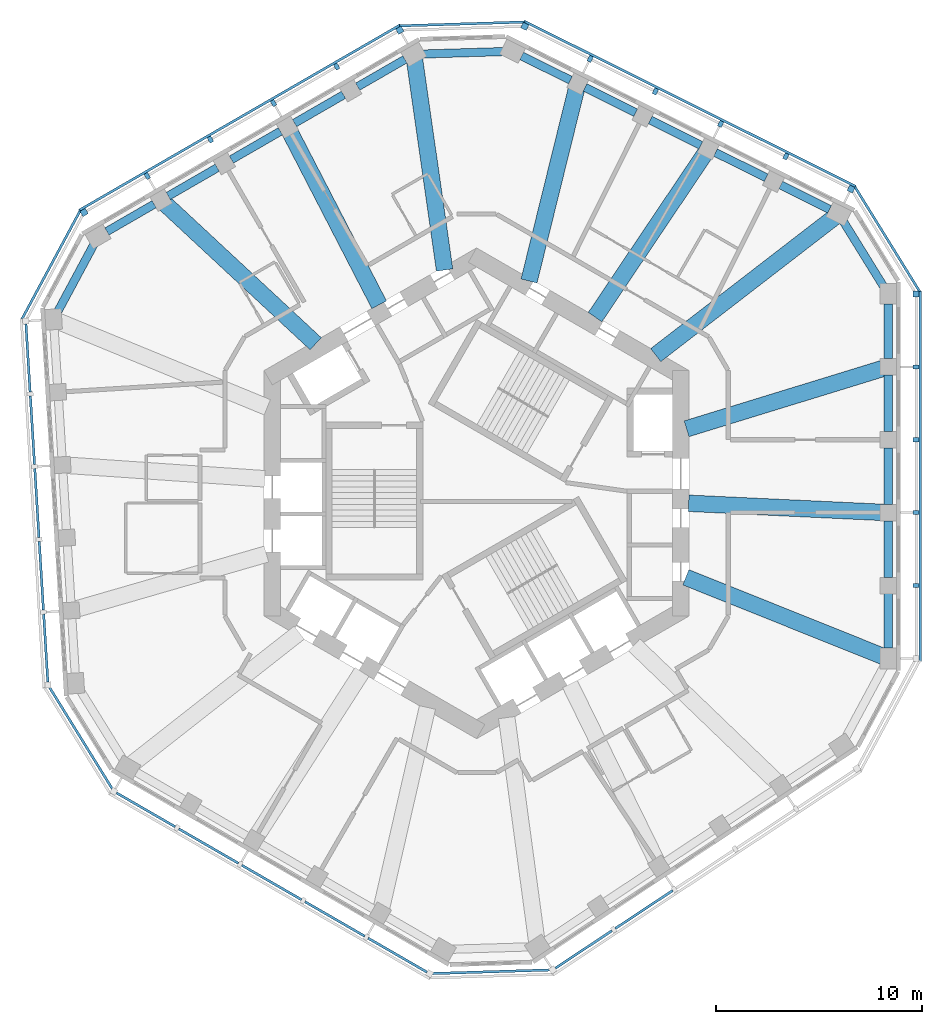
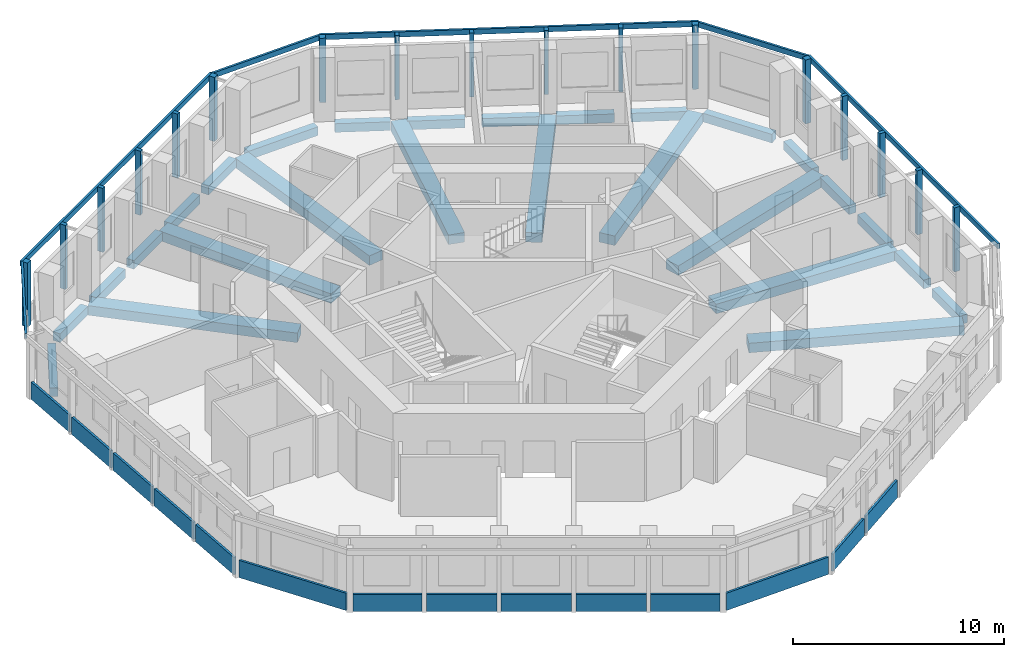
# One storey, part 2 of 11: 27 beams, 23 members, 14 plates, 11 elements without a shape of their own.
"""IFC4 building model written with IfcOpenShell, lengths in metres."""

from ifc_helpers import new_model, si_unit, direction, frame, origin, origin_2d, place, context, subcontext, project, spatial, rectangle, extrude, material, layer, layer_set, material_profile, profile_set, type_object, element, aggregate, save


model = new_model("IFC4")

# Units and contexts
model_context = context("Model", 3, precision=1e-05, world=origin(), true_north=direction((0.0, 1.0)))
body_context = subcontext(model_context, "Body", "Model", "MODEL_VIEW")
ifc_project = project(units=[si_unit("LENGTHUNIT", "METRE"), si_unit("AREAUNIT", "SQUARE_METRE"), si_unit("VOLUMEUNIT", "CUBIC_METRE"), si_unit("PLANEANGLEUNIT", "RADIAN"), si_unit("MASSUNIT", "GRAM", prefix="KILO")], contexts=[model_context])

# Site, building, storey
site_placement = place(None, origin())
site = spatial("IfcSite", under=ifc_project, at=site_placement, CompositionType="ELEMENT")
building_placement = place(site_placement, origin())
building = spatial("IfcBuilding", under=site, at=building_placement, Name="Vanh Sen Convention Tower", CompositionType="ELEMENT")
storey_placement = place(building_placement, frame((0.0, 0.0, 247.60009765625)))
storey = spatial("IfcBuildingStorey", under=building, at=storey_placement, Name="L61", CompositionType="ELEMENT", Elevation=247.60009765625)

# Curtain wall, member
ifc_material_1 = material(Name="Concrete C50/60", Category="concrete")
curtain_wall_type = type_object("IfcCurtainWallType", Name="Outer skin office zone", PredefinedType="NOTDEFINED", material=ifc_material_1)
curtain_wall_1_placement = place(storey_placement, origin())
curtain_wall_1 = element("IfcCurtainWall", 1, at=curtain_wall_1_placement, inside=storey, type_object=curtain_wall_type, Name="OUTER SKIN E L61", PredefinedType="NOTDEFINED")
ifc_material_profile_1 = material_profile(ifc_material_1, rectangle(XDim=0.300048828125, YDim=0.300048828125, at=origin_2d()), Name="Outer skin precast corner fin 300 x 300")
ifc_profile_set_1 = profile_set([ifc_material_profile_1], Name="Concrete C50/60")
member_type_1 = type_object("IfcMemberType", Name="Outer skin precast corner fin 300 x 300", PredefinedType="MULLION", material=ifc_profile_set_1)
member_1_placement = place(storey_placement, frame((21.300048828125, 9.665283203125, 0.0), z_axis=(0.0, 0.0, 1.0), x_axis=(0.0, 1.0, 0.0)))
member_1 = element("IfcMember", 2, at=member_1_placement, type_object=member_type_1, Name="OUTER SKIN CORNER FIN 6 E L61", PredefinedType="MULLION", context=body_context, shape_type="SweptSolid", body=[
    extrude(rectangle(XDim=0.300048828125, YDim=0.300048828125, at=origin_2d()), origin(), (0.0, 0.0, 1.0), 3.699951171875),
])

# Curtain wall, members
curtain_wall_2_placement = place(storey_placement, origin())
curtain_wall_2 = element("IfcCurtainWall", 3, at=curtain_wall_2_placement, inside=storey, type_object=curtain_wall_type, Name="OUTER SKIN NE L61", PredefinedType="NOTDEFINED")
member_2_placement = place(storey_placement, frame((18.15380859375, 14.74951171875, 0.0), z_axis=(0.0, 0.0, 1.0), x_axis=(-0.894934361602, 0.44619781311, 0.0)))
member_2 = element("IfcMember", 4, at=member_2_placement, type_object=member_type_1, Name="OUTER SKIN CORNER FIN 1 NE L61", PredefinedType="MULLION", context=body_context, shape_type="SweptSolid", body=[
    extrude(rectangle(XDim=0.300048828125, YDim=0.300048828125, at=origin_2d()), origin(), (0.0, 0.0, 1.0), 3.699951171875),
])
member_3_placement = place(storey_placement, frame((2.342041015625, 22.633056640625, 0.0), z_axis=(0.0, 0.0, 1.0), x_axis=(-0.894934361602, 0.44619781311, 0.0)))
member_3 = element("IfcMember", 5, at=member_3_placement, type_object=member_type_1, Name="OUTER SKIN CORNER FIN 6 NE L61", PredefinedType="MULLION", context=body_context, shape_type="SweptSolid", body=[
    extrude(rectangle(XDim=0.300048828125, YDim=0.300048828125, at=origin_2d()), origin(), (0.0, 0.0, 1.0), 3.699951171875),
])

curtain_wall_3_placement = place(storey_placement, origin())
curtain_wall_3 = element("IfcCurtainWall", 6, at=curtain_wall_3_placement, inside=storey, type_object=curtain_wall_type, Name="OUTER SKIN NW L61", PredefinedType="NOTDEFINED")
member_4_placement = place(storey_placement, frame((-3.719482421875, 22.44775390625, 0.0), z_axis=(0.0, 0.0, 1.0), x_axis=(-0.866025403784, -0.5, 0.0)))
member_4 = element("IfcMember", 7, at=member_4_placement, type_object=member_type_1, Name="OUTER SKIN CORNER FIN 1 NW L61", PredefinedType="MULLION", context=body_context, shape_type="SweptSolid", body=[
    extrude(rectangle(XDim=0.300048828125, YDim=0.300048828125, at=origin_2d()), origin(), (0.0, 0.0, 1.0), 3.699951171875),
])
member_5_placement = place(storey_placement, frame((-19.0205078125, 13.613525390625, 0.0), z_axis=(0.0, 0.0, 1.0), x_axis=(-0.866025403784, -0.5, 0.0)))
member_5 = element("IfcMember", 8, at=member_5_placement, type_object=member_type_1, Name="OUTER SKIN CORNER FIN 6 NW L61", PredefinedType="MULLION", context=body_context, shape_type="SweptSolid", body=[
    extrude(rectangle(XDim=0.300048828125, YDim=0.300048828125, at=origin_2d()), origin(), (0.0, 0.0, 1.0), 3.699951171875),
])

# Member
ifc_material_profile_2 = material_profile(ifc_material_1, rectangle(XDim=0.199951171875, YDim=0.300048828125, at=origin_2d()), Name="Outer skin precast fin 200 x 300")
ifc_profile_set_2 = profile_set([ifc_material_profile_2], Name="Concrete C50/60")
member_type_2 = type_object("IfcMemberType", Name="Outer skin precast fin 200 x 300", PredefinedType="MULLION", material=ifc_profile_set_2)
member_6_placement = place(storey_placement, frame((21.300048828125, -4.46923828125, 0.0), z_axis=(0.0, 0.0, 1.0), x_axis=(0.0, 1.0, 0.0)))
member_6 = element("IfcMember", 9, at=member_6_placement, type_object=member_type_2, Name="OUTER SKIN fin 2 E L61", PredefinedType="MULLION", context=body_context, shape_type="SweptSolid", body=[
    extrude(rectangle(XDim=0.199951171875, YDim=0.300048828125, at=origin_2d()), origin(), (0.0, 0.0, 1.0), 3.699951171875),
])

member_7_placement = place(storey_placement, frame((21.300048828125, -0.935546875, 0.0), z_axis=(0.0, 0.0, 1.0), x_axis=(0.0, 1.0, 0.0)))
member_7 = element("IfcMember", 10, at=member_7_placement, type_object=member_type_2, Name="OUTER SKIN fin 3 E L61", PredefinedType="MULLION", context=body_context, shape_type="SweptSolid", body=[
    extrude(rectangle(XDim=0.199951171875, YDim=0.300048828125, at=origin_2d()), origin(), (0.0, 0.0, 1.0), 3.699951171875),
])

member_8_placement = place(storey_placement, frame((21.300048828125, 2.59814453125, 0.0), z_axis=(0.0, 0.0, 1.0), x_axis=(0.0, 1.0, 0.0)))
member_8 = element("IfcMember", 11, at=member_8_placement, type_object=member_type_2, Name="OUTER SKIN fin 4 E L61", PredefinedType="MULLION", context=body_context, shape_type="SweptSolid", body=[
    extrude(rectangle(XDim=0.199951171875, YDim=0.300048828125, at=origin_2d()), origin(), (0.0, 0.0, 1.0), 3.699951171875),
])

member_9_placement = place(storey_placement, frame((21.300048828125, 6.131591796875, 0.0), z_axis=(0.0, 0.0, 1.0), x_axis=(0.0, 1.0, 0.0)))
member_9 = element("IfcMember", 12, at=member_9_placement, type_object=member_type_2, Name="OUTER SKIN fin 5 E L61", PredefinedType="MULLION", context=body_context, shape_type="SweptSolid", body=[
    extrude(rectangle(XDim=0.199951171875, YDim=0.300048828125, at=origin_2d()), origin(), (0.0, 0.0, 1.0), 3.699951171875),
])

member_10_placement = place(storey_placement, frame((14.99169921875, 16.326171875, 0.0), z_axis=(0.0, 0.0, 1.0), x_axis=(-0.894934361602, 0.44619781311, 0.0)))
member_10 = element("IfcMember", 13, at=member_10_placement, type_object=member_type_2, Name="OUTER SKIN fin 2 NE L61", PredefinedType="MULLION", context=body_context, shape_type="SweptSolid", body=[
    extrude(rectangle(XDim=0.199951171875, YDim=0.300048828125, at=origin_2d()), origin(), (0.0, 0.0, 1.0), 3.699951171875),
])

member_11_placement = place(storey_placement, frame((11.8291015625, 17.90283203125, 0.0), z_axis=(0.0, 0.0, 1.0), x_axis=(-0.894934361602, 0.44619781311, 0.0)))
member_11 = element("IfcMember", 14, at=member_11_placement, type_object=member_type_2, Name="OUTER SKIN fin 3 NE L61", PredefinedType="MULLION", context=body_context, shape_type="SweptSolid", body=[
    extrude(rectangle(XDim=0.199951171875, YDim=0.300048828125, at=origin_2d()), origin(), (0.0, 0.0, 1.0), 3.699951171875),
])

member_12_placement = place(storey_placement, frame((8.666748046875, 19.4794921875, 0.0), z_axis=(0.0, 0.0, 1.0), x_axis=(-0.894934361602, 0.44619781311, 0.0)))
member_12 = element("IfcMember", 15, at=member_12_placement, type_object=member_type_2, Name="OUTER SKIN fin 4 NE L61", PredefinedType="MULLION", context=body_context, shape_type="SweptSolid", body=[
    extrude(rectangle(XDim=0.199951171875, YDim=0.300048828125, at=origin_2d()), origin(), (0.0, 0.0, 1.0), 3.699951171875),
])

member_13_placement = place(storey_placement, frame((5.50439453125, 21.056396484375, 0.0), z_axis=(0.0, 0.0, 1.0), x_axis=(-0.894934361602, 0.44619781311, 0.0)))
member_13 = element("IfcMember", 16, at=member_13_placement, type_object=member_type_2, Name="OUTER SKIN fin 5 NE L61", PredefinedType="MULLION", context=body_context, shape_type="SweptSolid", body=[
    extrude(rectangle(XDim=0.199951171875, YDim=0.300048828125, at=origin_2d()), origin(), (0.0, 0.0, 1.0), 3.699951171875),
])

member_14_placement = place(storey_placement, frame((-6.779541015625, 20.680908203125, 0.0), z_axis=(0.0, 0.0, 1.0), x_axis=(-0.866025403784, -0.5, 0.0)))
member_14 = element("IfcMember", 17, at=member_14_placement, type_object=member_type_2, Name="OUTER SKIN fin 2 NW L61", PredefinedType="MULLION", context=body_context, shape_type="SweptSolid", body=[
    extrude(rectangle(XDim=0.199951171875, YDim=0.300048828125, at=origin_2d()), origin(), (0.0, 0.0, 1.0), 3.699951171875),
])

member_15_placement = place(storey_placement, frame((-9.83984375, 18.9140625, 0.0), z_axis=(0.0, 0.0, 1.0), x_axis=(-0.866025403784, -0.5, 0.0)))
member_15 = element("IfcMember", 18, at=member_15_placement, type_object=member_type_2, Name="OUTER SKIN fin 3 NW L61", PredefinedType="MULLION", context=body_context, shape_type="SweptSolid", body=[
    extrude(rectangle(XDim=0.199951171875, YDim=0.300048828125, at=origin_2d()), origin(), (0.0, 0.0, 1.0), 3.699951171875),
])

member_16_placement = place(storey_placement, frame((-12.89990234375, 17.147216796875, 0.0), z_axis=(0.0, 0.0, 1.0), x_axis=(-0.866025403784, -0.5, 0.0)))
member_16 = element("IfcMember", 19, at=member_16_placement, type_object=member_type_2, Name="OUTER SKIN fin 4 NW L61", PredefinedType="MULLION", context=body_context, shape_type="SweptSolid", body=[
    extrude(rectangle(XDim=0.199951171875, YDim=0.300048828125, at=origin_2d()), origin(), (0.0, 0.0, 1.0), 3.699951171875),
])

member_17_placement = place(storey_placement, frame((-15.960205078125, 15.38037109375, 0.0), z_axis=(0.0, 0.0, 1.0), x_axis=(-0.866025403784, -0.5, 0.0)))
member_17 = element("IfcMember", 20, at=member_17_placement, type_object=member_type_2, Name="OUTER SKIN fin 5 NW L61", PredefinedType="MULLION", context=body_context, shape_type="SweptSolid", body=[
    extrude(rectangle(XDim=0.199951171875, YDim=0.300048828125, at=origin_2d()), origin(), (0.0, 0.0, 1.0), 3.699951171875),
])

ifc_material_profile_3 = material_profile(ifc_material_1, rectangle(XDim=0.1201171875, YDim=0.300048828125, at=origin_2d()), Name="Outer skin precast spandrel band 300 x 120")
ifc_profile_set_3 = profile_set([ifc_material_profile_3], Name="Concrete C50/60")
member_type_3 = type_object("IfcMemberType", Name="Outer skin precast spandrel band 300 x 120", PredefinedType="USERDEFINED", material=ifc_profile_set_3)
member_18_placement = place(storey_placement, frame((21.510009765625, -8.15283203125, 3.5498046875), z_axis=(0.0, 1.0, 0.0), x_axis=(-1.0, 0.0, 0.0)))
member_18 = element("IfcMember", 21, at=member_18_placement, type_object=member_type_3, Name="OUTER SKIN spandrel band E L61", ObjectType="TRANSOM", PredefinedType="USERDEFINED", context=body_context, shape_type="SweptSolid", body=[
    extrude(rectangle(XDim=0.1201171875, YDim=0.300048828125, at=origin_2d()), origin(), (0.0, 0.0, 1.0), 17.96826171875),
])

aggregate(curtain_wall_1, [member_6, member_7, member_8, member_9, member_1, member_18])

# Curtain wall, member
curtain_wall_4_placement = place(storey_placement, origin())
curtain_wall_4 = element("IfcCurtainWall", 22, at=curtain_wall_4_placement, inside=storey, type_object=curtain_wall_type, Name="OUTER SKIN CH1 L61", PredefinedType="NOTDEFINED")
member_19_placement = place(storey_placement, frame((21.478515625, 9.77587890625, 3.5498046875), z_axis=(-0.526187318786, 0.850368688011, 0.0), x_axis=(-0.850368688011, -0.526187318786, 0.0)))
member_19 = element("IfcMember", 23, at=member_19_placement, type_object=member_type_3, Name="OUTER SKIN spandrel band CH1 L61", ObjectType="TRANSOM", PredefinedType="USERDEFINED", context=body_context, shape_type="SweptSolid", body=[
    extrude(rectangle(XDim=0.1201171875, YDim=0.300048828125, at=origin_2d()), origin(), (0.0, 0.0, 1.0), 5.978759765625),
])
aggregate(curtain_wall_4, [member_19])

# Member
member_20_placement = place(storey_placement, frame((18.3818359375, 14.87060546875, 3.5498046875), z_axis=(-0.894940208367, 0.446186086121, 0.0), x_axis=(-0.446186086121, -0.894940208367, 0.0)))
member_20 = element("IfcMember", 24, at=member_20_placement, type_object=member_type_3, Name="OUTER SKIN spandrel band NE L61", ObjectType="TRANSOM", PredefinedType="USERDEFINED", context=body_context, shape_type="SweptSolid", body=[
    extrude(rectangle(XDim=0.1201171875, YDim=0.300048828125, at=origin_2d()), origin(), (0.0, 0.0, 1.0), 17.968017578125),
])

aggregate(curtain_wall_2, [member_2, member_10, member_11, member_12, member_13, member_3, member_20])

# Curtain wall, member
curtain_wall_5_placement = place(storey_placement, origin())
curtain_wall_5 = element("IfcCurtainWall", 25, at=curtain_wall_5_placement, inside=storey, type_object=curtain_wall_type, Name="OUTER SKIN CH2 L61", PredefinedType="NOTDEFINED")
member_21_placement = place(storey_placement, frame((2.335693359375, 22.843017578125, 3.5498046875), z_axis=(-0.999533054911, -0.030556049165, 0.0), x_axis=(0.030556049165, -0.999533054911, 0.0)))
member_21 = element("IfcMember", 26, at=member_21_placement, type_object=member_type_3, Name="OUTER SKIN spandrel band CH2 L61", ObjectType="TRANSOM", PredefinedType="USERDEFINED", context=body_context, shape_type="SweptSolid", body=[
    extrude(rectangle(XDim=0.1201171875, YDim=0.300048828125, at=origin_2d()), origin(), (0.0, 0.0, 1.0), 6.064453125),
])
aggregate(curtain_wall_5, [member_21])

# Member
member_22_placement = place(storey_placement, frame((-3.694580078125, 22.70458984375, 3.5498046875), z_axis=(-0.866022898019, -0.500004340088, 0.0), x_axis=(0.500004340088, -0.866022898019, 0.0)))
member_22 = element("IfcMember", 27, at=member_22_placement, type_object=member_type_3, Name="OUTER SKIN spandrel band NW L61", ObjectType="TRANSOM", PredefinedType="USERDEFINED", context=body_context, shape_type="SweptSolid", body=[
    extrude(rectangle(XDim=0.1201171875, YDim=0.300048828125, at=origin_2d()), origin(), (0.0, 0.0, 1.0), 17.968017578125),
])

aggregate(curtain_wall_3, [member_4, member_14, member_15, member_16, member_17, member_5, member_22])

# Curtain wall, member
curtain_wall_6_placement = place(storey_placement, origin())
curtain_wall_6 = element("IfcCurtainWall", 28, at=curtain_wall_6_placement, inside=storey, type_object=curtain_wall_type, Name="OUTER SKIN CH3 L61", PredefinedType="NOTDEFINED")
member_23_placement = place(storey_placement, frame((-19.20556640625, 13.712890625, 3.5498046875), z_axis=(-0.473317965247, -0.880891652688, 0.0), x_axis=(0.880891652688, -0.473317965247, 0.0)))
member_23 = element("IfcMember", 29, at=member_23_placement, type_object=member_type_3, Name="OUTER SKIN spandrel band CH3 L61", ObjectType="TRANSOM", PredefinedType="USERDEFINED", context=body_context, shape_type="SweptSolid", body=[
    extrude(rectangle(XDim=0.1201171875, YDim=0.300048828125, at=origin_2d()), origin(), (0.0, 0.0, 1.0), 5.978759765625),
])
aggregate(curtain_wall_6, [member_23])

# Beams
ifc_material_2 = material(Name="Concrete C50/60", Category="concrete")
ifc_material_profile_4 = material_profile(ifc_material_2, rectangle(XDim=0.800048828125, YDim=0.550048828125, at=origin_2d()), Name="RC 800X550")
ifc_profile_set_4 = profile_set([ifc_material_profile_4], Name="Concrete C50/60")
beam_type_1 = type_object("IfcBeamType", Name="Radial floor beam 800 x 550", PredefinedType="BEAM", material=ifc_profile_set_4)
beam_1_placement = place(storey_placement, frame((19.70361328125, -7.90380859375, -0.55517578125), z_axis=(-0.928119807881, 0.372281643676, 0.0), x_axis=(-0.372281643676, -0.928119807881, 0.0)))
element("IfcBeam", 30, at=beam_1_placement, inside=storey, type_object=beam_type_1, Name="Radial beam 01 L61", PredefinedType="BEAM", context=body_context, shape_type="SweptSolid", body=[
    extrude(rectangle(XDim=0.800048828125, YDim=0.550048828125, at=origin_2d()), origin(), (0.0, 0.0, 1.0), 10.29736328125),
])
beam_2_placement = place(storey_placement, frame((19.945556640625, -0.935302734375, -0.55517578125), z_axis=(-0.998902566017, 0.046836562684, 0.0), x_axis=(-0.046836562684, -0.998902566017, 0.0)))
element("IfcBeam", 31, at=beam_2_placement, inside=storey, type_object=beam_type_1, Name="Radial beam 02 L61", PredefinedType="BEAM", context=body_context, shape_type="SweptSolid", body=[
    extrude(rectangle(XDim=0.800048828125, YDim=0.550048828125, at=origin_2d()), origin(), (0.0, 0.0, 1.0), 9.679931640625),
])
beam_3_placement = place(storey_placement, frame((19.897216796875, 6.115478515625, -0.55517578125), z_axis=(-0.955870331163, -0.293788886793, 0.0), x_axis=(0.293788886793, -0.955870331163, 0.0)))
element("IfcBeam", 32, at=beam_3_placement, inside=storey, type_object=beam_type_1, Name="Radial beam 03 L61", PredefinedType="BEAM", context=body_context, shape_type="SweptSolid", body=[
    extrude(rectangle(XDim=0.800048828125, YDim=0.550048828125, at=origin_2d()), origin(), (0.0, 0.0, 1.0), 10.168212890625),
])
beam_4_placement = place(storey_placement, frame((17.35693359375, 13.39111328125, -0.55517578125), z_axis=(-0.791753308833, -0.610840975994, 0.0), x_axis=(0.610840975994, -0.791753308833, 0.0)))
element("IfcBeam", 33, at=beam_4_placement, inside=storey, type_object=beam_type_1, Name="Radial beam 04 L61", PredefinedType="BEAM", context=body_context, shape_type="SweptSolid", body=[
    extrude(rectangle(XDim=0.800048828125, YDim=0.550048828125, at=origin_2d()), origin(), (0.0, 0.0, 1.0), 10.955322265625),
])
beam_5_placement = place(storey_placement, frame((11.215087890625, 16.677001953125, -0.55517578125), z_axis=(-0.558045479144, -0.829810365811, 0.0), x_axis=(0.829810365811, -0.558045479144, 0.0)))
element("IfcBeam", 34, at=beam_5_placement, inside=storey, type_object=beam_type_1, Name="Radial beam 05 L61", PredefinedType="BEAM", context=body_context, shape_type="SweptSolid", body=[
    extrude(rectangle(XDim=0.800048828125, YDim=0.550048828125, at=origin_2d()), origin(), (0.0, 0.0, 1.0), 9.805419921875),
])
beam_6_placement = place(storey_placement, frame((4.892578125, 19.809814453125, -0.55517578125), z_axis=(-0.239763112256, -0.97083142203, 0.0), x_axis=(0.97083142203, -0.239763112256, 0.0)))
element("IfcBeam", 35, at=beam_6_placement, inside=storey, type_object=beam_type_1, Name="Radial beam 06 L61", PredefinedType="BEAM", context=body_context, shape_type="SweptSolid", body=[
    extrude(rectangle(XDim=0.800048828125, YDim=0.550048828125, at=origin_2d()), origin(), (0.0, 0.0, 1.0), 9.8037109375),
])
beam_7_placement = place(storey_placement, frame((-3.0068359375, 21.015869140625, -0.55517578125), z_axis=(0.141633779943, -0.989919124161, 0.0), x_axis=(0.989919124161, 0.141633779943, 0.0)))
element("IfcBeam", 36, at=beam_7_placement, inside=storey, type_object=beam_type_1, Name="Radial beam 07 L61", PredefinedType="BEAM", context=body_context, shape_type="SweptSolid", body=[
    extrude(rectangle(XDim=0.800048828125, YDim=0.550048828125, at=origin_2d()), origin(), (0.0, 0.0, 1.0), 10.297607421875),
])
beam_8_placement = place(storey_placement, frame((-9.162841796875, 17.7412109375, -0.55517578125), z_axis=(0.458887667993, -0.888494292702, 0.0), x_axis=(0.888494292702, 0.458887667993, 0.0)))
element("IfcBeam", 37, at=beam_8_placement, inside=storey, type_object=beam_type_1, Name="Radial beam 08 L61", PredefinedType="BEAM", context=body_context, shape_type="SweptSolid", body=[
    extrude(rectangle(XDim=0.800048828125, YDim=0.550048828125, at=origin_2d()), origin(), (0.0, 0.0, 1.0), 9.68017578125),
])
beam_9_placement = place(storey_placement, frame((-15.244873046875, 14.173828125, -0.55517578125), z_axis=(0.73236492297, -0.680912343554, 0.0), x_axis=(0.680912343554, 0.73236492297, 0.0)))
element("IfcBeam", 38, at=beam_9_placement, inside=storey, type_object=beam_type_1, Name="Radial beam 09 L61", PredefinedType="BEAM", context=body_context, shape_type="SweptSolid", body=[
    extrude(rectangle(XDim=0.800048828125, YDim=0.550048828125, at=origin_2d()), origin(), (0.0, 0.0, 1.0), 10.16845703125),
])
ifc_material_profile_5 = material_profile(ifc_material_2, rectangle(XDim=0.39990234375, YDim=0.5, at=origin_2d()), Name="RC 400X500")
ifc_profile_set_5 = profile_set([ifc_material_profile_5], Name="Concrete C50/60")
beam_type_2 = type_object("IfcBeamType", Name="Spandrel beam 400 x 500", PredefinedType="SPANDREL", material=ifc_profile_set_5)
beam_10_placement = place(storey_placement, frame((19.949951171875, -7.5078125, -0.530029296875), z_axis=(0.0, 1.0, 0.0), x_axis=(-1.0, 0.0, 0.0)))
element("IfcBeam", 39, at=beam_10_placement, inside=storey, type_object=beam_type_2, Name="Spandrel beam 01 L61", PredefinedType="SPANDREL", context=body_context, shape_type="SweptSolid", body=[
    extrude(rectangle(XDim=0.39990234375, YDim=0.5, at=origin_2d()), origin(), (0.0, 0.0, 1.0), 2.6435546875),
])
for number, where, z_axis, x_axis, name in (
    (40, (19.949951171875, -4.07421875, -0.530029296875), (0.0, 1.0, 0.0), (-1.0, 0.0, 0.0), "Spandrel beam 02 L61"),
    (41, (19.949951171875, -0.54052734375, -0.530029296875), (0.0, 1.0, 0.0), (-1.0, 0.0, 0.0), "Spandrel beam 03 L61"),
    (42, (19.949951171875, 2.9931640625, -0.530029296875), (0.0, 1.0, 0.0), (-1.0, 0.0, 0.0), "Spandrel beam 04 L61"),
):
    element("IfcBeam", number, at=place(storey_placement, frame(where, z_axis=z_axis, x_axis=x_axis)), inside=storey, type_object=beam_type_2, Name=name, PredefinedType="SPANDREL", context=body_context, shape_type="SweptSolid", body=[
        extrude(rectangle(XDim=0.39990234375, YDim=0.5, at=origin_2d()), origin(), (0.0, 0.0, 1.0), 2.74365234375),
    ])
beam_11_placement = place(storey_placement, frame((19.949951171875, 6.526611328125, -0.530029296875), z_axis=(0.0, 1.0, 0.0), x_axis=(-1.0, 0.0, 0.0)))
element("IfcBeam", 43, at=beam_11_placement, inside=storey, type_object=beam_type_2, Name="Spandrel beam 05 L61", PredefinedType="SPANDREL", context=body_context, shape_type="SweptSolid", body=[
    extrude(rectangle(XDim=0.39990234375, YDim=0.5, at=origin_2d()), origin(), (0.0, 0.0, 1.0), 2.643798828125),
])
beam_12_placement = place(storey_placement, frame((19.72265625, 10.03271484375, -0.530029296875), z_axis=(-0.526197618079, 0.850362314974, 0.0), x_axis=(-0.850362314974, -0.526197618079, 0.0)))
element("IfcBeam", 44, at=beam_12_placement, inside=storey, type_object=beam_type_2, Name="Spandrel beam 06 L61", PredefinedType="SPANDREL", context=body_context, shape_type="SweptSolid", body=[
    extrude(rectangle(XDim=0.39990234375, YDim=0.5, at=origin_2d()), origin(), (0.0, 0.0, 1.0), 3.694091796875),
])
beam_13_placement = place(storey_placement, frame((17.1083984375, 13.76220703125, -0.530029296875), z_axis=(-0.894943794637, 0.446178892868, 0.0), x_axis=(-0.446178892868, -0.894943794637, 0.0)))
element("IfcBeam", 45, at=beam_13_placement, inside=storey, type_object=beam_type_2, Name="Spandrel beam 07 L61", PredefinedType="SPANDREL", context=body_context, shape_type="SweptSolid", body=[
    extrude(rectangle(XDim=0.39990234375, YDim=0.5, at=origin_2d()), origin(), (0.0, 0.0, 1.0), 2.643310546875),
])
for number, where, z_axis, x_axis, name in (
    (46, (14.03564453125, 15.294189453125, -0.530029296875), (-0.894942720211, 0.446181047941, 0.0), (-0.446181047941, -0.894942720211, 0.0), "Spandrel beam 08 L61"),
    (47, (10.873291015625, 16.87109375, -0.530029296875), (-0.894942720211, 0.446181047941, 0.0), (-0.446181047941, -0.894942720211, 0.0), "Spandrel beam 09 L61"),
    (48, (7.7109375, 18.44775390625, -0.530029296875), (-0.894942720211, 0.446181047941, 0.0), (-0.446181047941, -0.894942720211, 0.0), "Spandrel beam 10 L61"),
):
    element("IfcBeam", number, at=place(storey_placement, frame(where, z_axis=z_axis, x_axis=x_axis)), inside=storey, type_object=beam_type_2, Name=name, PredefinedType="SPANDREL", context=body_context, shape_type="SweptSolid", body=[
        extrude(rectangle(XDim=0.39990234375, YDim=0.5, at=origin_2d()), origin(), (0.0, 0.0, 1.0), 2.74365234375),
    ])
beam_14_placement = place(storey_placement, frame((4.548583984375, 20.0244140625, -0.530029296875), z_axis=(-0.894962178475, 0.446142016738, 0.0), x_axis=(-0.446142016738, -0.894962178475, 0.0)))
element("IfcBeam", 49, at=beam_14_placement, inside=storey, type_object=beam_type_2, Name="Spandrel beam 11 L61", PredefinedType="SPANDREL", context=body_context, shape_type="SweptSolid", body=[
    extrude(rectangle(XDim=0.39990234375, YDim=0.5, at=origin_2d()), origin(), (0.0, 0.0, 1.0), 2.6435546875),
])
beam_15_placement = place(storey_placement, frame((1.284912109375, 21.410888671875, -0.530029296875), z_axis=(-0.999533345405, -0.030546545212, 0.0), x_axis=(0.030546545212, -0.999533345405, 0.0)))
element("IfcBeam", 50, at=beam_15_placement, inside=storey, type_object=beam_type_2, Name="Spandrel beam 12 L61", PredefinedType="SPANDREL", context=body_context, shape_type="SweptSolid", body=[
    extrude(rectangle(XDim=0.39990234375, YDim=0.5, at=origin_2d()), origin(), (0.0, 0.0, 1.0), 3.876220703125),
])
beam_16_placement = place(storey_placement, frame((-3.47314453125, 21.031005859375, -0.530029296875), z_axis=(-0.866017944311, -0.500012919964, 0.0), x_axis=(0.500012919964, -0.866017944311, 0.0)))
element("IfcBeam", 51, at=beam_16_placement, inside=storey, type_object=beam_type_2, Name="Spandrel beam 13 L61", PredefinedType="SPANDREL", context=body_context, shape_type="SweptSolid", body=[
    extrude(rectangle(XDim=0.39990234375, YDim=0.5, at=origin_2d()), origin(), (0.0, 0.0, 1.0), 2.6435546875),
])
for number, where, z_axis, x_axis, name in (
    (52, (-6.44677734375, 19.314208984375, -0.530029296875), (-0.866016649877, -0.500015161905, 0.0), (0.500015161905, -0.866016649877, 0.0), "Spandrel beam 14 L61"),
    (53, (-9.5068359375, 17.547607421875, -0.530029296875), (-0.866016649877, -0.500015161905, 0.0), (0.500015161905, -0.866016649877, 0.0), "Spandrel beam 15 L61"),
    (54, (-12.567138671875, 15.78076171875, -0.530029296875), (-0.865978115955, -0.500081895979, 0.0), (0.500081895979, -0.865978115955, 0.0), "Spandrel beam 16 L61"),
):
    element("IfcBeam", number, at=place(storey_placement, frame(where, z_axis=z_axis, x_axis=x_axis)), inside=storey, type_object=beam_type_2, Name=name, PredefinedType="SPANDREL", context=body_context, shape_type="SweptSolid", body=[
        extrude(rectangle(XDim=0.39990234375, YDim=0.5, at=origin_2d()), origin(), (0.0, 0.0, 1.0), 2.74365234375),
    ])
beam_17_placement = place(storey_placement, frame((-15.627197265625, 14.013916015625, -0.530029296875), z_axis=(-0.866001044215, -0.500042189638, 0.0), x_axis=(0.500042189638, -0.866001044215, 0.0)))
element("IfcBeam", 55, at=beam_17_placement, inside=storey, type_object=beam_type_2, Name="Spandrel beam 17 L61", PredefinedType="SPANDREL", context=body_context, shape_type="SweptSolid", body=[
    extrude(rectangle(XDim=0.39990234375, YDim=0.5, at=origin_2d()), origin(), (0.0, 0.0, 1.0), 2.643798828125),
])
beam_18_placement = place(storey_placement, frame((-18.5498046875, 12.06396484375, -0.530029296875), z_axis=(-0.473323254659, -0.880888810577, 0.0), x_axis=(0.880888810577, -0.473323254659, 0.0)))
element("IfcBeam", 56, at=beam_18_placement, inside=storey, type_object=beam_type_2, Name="Spandrel beam 18 L61", PredefinedType="SPANDREL", context=body_context, shape_type="SweptSolid", body=[
    extrude(rectangle(XDim=0.39990234375, YDim=0.5, at=origin_2d()), origin(), (0.0, 0.0, 1.0), 3.694091796875),
])

# Curtain wall, plates
curtain_wall_7_placement = place(storey_placement, origin())
curtain_wall_7 = element("IfcCurtainWall", 57, at=curtain_wall_7_placement, inside=storey, type_object=curtain_wall_type, Name="OUTER SKIN W L61", PredefinedType="NOTDEFINED")
ifc_layer = layer(ifc_material_1, 0.1201171875)
ifc_layer_set = layer_set([ifc_layer], Name="Concrete C50/60")
plate_type = type_object("IfcPlateType", Name="Outer skin precast screen panel 120", PredefinedType="CURTAIN_PANEL", material=ifc_layer_set)
plate_1_placement = place(storey_placement, frame((-21.740966796875, 6.55859375, 0.0), z_axis=(0.0, 0.0, 1.0), x_axis=(0.061043313312, -0.998135118058, 0.0)))
plate_1 = element("IfcPlate", 58, at=plate_1_placement, type_object=plate_type, Name="OUTER SKIN screen panel W-1", PredefinedType="CURTAIN_PANEL", context=body_context, shape_type="SweptSolid", body=[
    extrude(rectangle(XDim=3.28369140625, YDim=0.1201171875, at=origin_2d()), origin(), (0.0, 0.0, 1.0), 1.0),
])
plate_2_placement = place(storey_placement, frame((-21.526611328125, 3.056396484375, 0.0), z_axis=(0.0, 0.0, 1.0), x_axis=(0.061041571238, -0.998135224597, 0.0)))
plate_2 = element("IfcPlate", 59, at=plate_2_placement, type_object=plate_type, Name="OUTER SKIN screen panel W-2", PredefinedType="CURTAIN_PANEL", context=body_context, shape_type="SweptSolid", body=[
    extrude(rectangle(XDim=3.333740234375, YDim=0.1201171875, at=origin_2d()), origin(), (0.0, 0.0, 1.0), 1.0),
])
plate_3_placement = place(storey_placement, frame((-21.31103515625, -0.470703125, 0.0), z_axis=(0.0, 0.0, 1.0), x_axis=(0.061043313312, -0.998135118058, 0.0)))
plate_3 = element("IfcPlate", 60, at=plate_3_placement, type_object=plate_type, Name="OUTER SKIN screen panel W-3", PredefinedType="CURTAIN_PANEL", context=body_context, shape_type="SweptSolid", body=[
    extrude(rectangle(XDim=3.33349609375, YDim=0.1201171875, at=origin_2d()), origin(), (0.0, 0.0, 1.0), 1.0),
])
plate_4_placement = place(storey_placement, frame((-21.09521484375, -3.99755859375, 0.0), z_axis=(0.0, 0.0, 1.0), x_axis=(0.061043313312, -0.998135118058, 0.0)))
plate_4 = element("IfcPlate", 61, at=plate_4_placement, type_object=plate_type, Name="OUTER SKIN screen panel W-4", PredefinedType="CURTAIN_PANEL", context=body_context, shape_type="SweptSolid", body=[
    extrude(rectangle(XDim=3.33349609375, YDim=0.1201171875, at=origin_2d()), origin(), (0.0, 0.0, 1.0), 1.0),
])
plate_5_placement = place(storey_placement, frame((-20.881103515625, -7.499755859375, 0.0), z_axis=(0.0, 0.0, 1.0), x_axis=(0.061069444408, -0.998133519605, 0.0)))
plate_5 = element("IfcPlate", 62, at=plate_5_placement, type_object=plate_type, Name="OUTER SKIN screen panel W-5", PredefinedType="CURTAIN_PANEL", context=body_context, shape_type="SweptSolid", body=[
    extrude(rectangle(XDim=3.28369140625, YDim=0.1201171875, at=origin_2d()), origin(), (0.0, 0.0, 1.0), 1.0),
])
aggregate(curtain_wall_7, [plate_1, plate_2, plate_3, plate_4, plate_5])

# Curtain wall, plate
curtain_wall_8_placement = place(storey_placement, origin())
curtain_wall_8 = element("IfcCurtainWall", 63, at=curtain_wall_8_placement, inside=storey, type_object=curtain_wall_type, Name="OUTER SKIN CH4 L61", PredefinedType="NOTDEFINED")
plate_6_placement = place(storey_placement, frame((-19.176025390625, -11.86669921875, 0.0), z_axis=(0.0, 0.0, 1.0), x_axis=(0.526215407796, -0.850351306578, 0.0)))
plate_6 = element("IfcPlate", 64, at=plate_6_placement, type_object=plate_type, Name="OUTER SKIN screen panel CH4-1", PredefinedType="CURTAIN_PANEL", context=body_context, shape_type="SweptSolid", body=[
    extrude(rectangle(XDim=5.76416015625, YDim=0.1201171875, at=origin_2d()), origin(), (0.0, 0.0, 1.0), 1.0),
])
aggregate(curtain_wall_8, [plate_6])

# Curtain wall, plates
curtain_wall_9_placement = place(storey_placement, origin())
curtain_wall_9 = element("IfcCurtainWall", 65, at=curtain_wall_9_placement, inside=storey, type_object=curtain_wall_type, Name="OUTER SKIN SW L61", PredefinedType="NOTDEFINED")
plate_7_placement = place(storey_placement, frame((-16.02880859375, -15.3408203125, 0.0), z_axis=(0.0, 0.0, 1.0), x_axis=(0.866026276448, -0.4999984885, 0.0)))
plate_7 = element("IfcPlate", 66, at=plate_7_placement, type_object=plate_type, Name="OUTER SKIN screen panel SW-1", PredefinedType="CURTAIN_PANEL", context=body_context, shape_type="SweptSolid", body=[
    extrude(rectangle(XDim=3.28369140625, YDim=0.1201171875, at=origin_2d()), origin(), (0.0, 0.0, 1.0), 1.0),
])
plate_8_placement = place(storey_placement, frame((-12.990234375, -17.09521484375, 0.0), z_axis=(0.0, 0.0, 1.0), x_axis=(0.866026276448, -0.4999984885, 0.0)))
plate_8 = element("IfcPlate", 67, at=plate_8_placement, type_object=plate_type, Name="OUTER SKIN screen panel SW-2", PredefinedType="CURTAIN_PANEL", context=body_context, shape_type="SweptSolid", body=[
    extrude(rectangle(XDim=3.33349609375, YDim=0.1201171875, at=origin_2d()), origin(), (0.0, 0.0, 1.0), 1.0),
])
plate_9_placement = place(storey_placement, frame((-9.93017578125, -18.862060546875, 0.0), z_axis=(0.0, 0.0, 1.0), x_axis=(0.866014058921, -0.500019649364, 0.0)))
plate_9 = element("IfcPlate", 68, at=plate_9_placement, type_object=plate_type, Name="OUTER SKIN screen panel SW-3", PredefinedType="CURTAIN_PANEL", context=body_context, shape_type="SweptSolid", body=[
    extrude(rectangle(XDim=3.333740234375, YDim=0.1201171875, at=origin_2d()), origin(), (0.0, 0.0, 1.0), 1.0),
])
plate_10_placement = place(storey_placement, frame((-6.869873046875, -20.62890625, 0.0), z_axis=(0.0, 0.0, 1.0), x_axis=(0.866026276448, -0.4999984885, 0.0)))
plate_10 = element("IfcPlate", 69, at=plate_10_placement, type_object=plate_type, Name="OUTER SKIN screen panel SW-4", PredefinedType="CURTAIN_PANEL", context=body_context, shape_type="SweptSolid", body=[
    extrude(rectangle(XDim=3.33349609375, YDim=0.1201171875, at=origin_2d()), origin(), (0.0, 0.0, 1.0), 1.0),
])
plate_11_placement = place(storey_placement, frame((-3.831298828125, -22.383056640625, 0.0), z_axis=(0.0, 0.0, 1.0), x_axis=(0.866033257659, -0.499986396443, 0.0)))
plate_11 = element("IfcPlate", 70, at=plate_11_placement, type_object=plate_type, Name="OUTER SKIN screen panel SW-5", PredefinedType="CURTAIN_PANEL", context=body_context, shape_type="SweptSolid", body=[
    extrude(rectangle(XDim=3.28369140625, YDim=0.1201171875, at=origin_2d()), origin(), (0.0, 0.0, 1.0), 1.0),
])
aggregate(curtain_wall_9, [plate_7, plate_8, plate_9, plate_10, plate_11])

# Curtain wall, plate
curtain_wall_10_placement = place(storey_placement, origin())
curtain_wall_10 = element("IfcCurtainWall", 71, at=curtain_wall_10_placement, inside=storey, type_object=curtain_wall_type, Name="OUTER SKIN CH5 L61", PredefinedType="NOTDEFINED")
plate_12_placement = place(storey_placement, frame((0.70849609375, -23.187744140625, 0.0), z_axis=(0.0, 0.0, 1.0), x_axis=(0.999533537535, 0.030540257725, 0.0)))
plate_12 = element("IfcPlate", 72, at=plate_12_placement, type_object=plate_type, Name="OUTER SKIN screen panel CH5-1", PredefinedType="CURTAIN_PANEL", context=body_context, shape_type="SweptSolid", body=[
    extrude(rectangle(XDim=5.6787109375, YDim=0.1201171875, at=origin_2d()), origin(), (0.0, 0.0, 1.0), 1.0),
])
aggregate(curtain_wall_10, [plate_12])

# Curtain wall, plates
curtain_wall_11_placement = place(storey_placement, origin())
curtain_wall_11 = element("IfcCurtainWall", 73, at=curtain_wall_11_placement, inside=storey, type_object=curtain_wall_type, Name="OUTER SKIN SE L61", PredefinedType="NOTDEFINED")
plate_13_placement = place(storey_placement, frame((5.190673828125, -22.107421875, 0.0), z_axis=(0.0, 0.0, 1.0), x_axis=(0.833896418343, 0.551920975752, 0.0)))
plate_13 = element("IfcPlate", 74, at=plate_13_placement, type_object=plate_type, Name="OUTER SKIN screen panel SE-1", PredefinedType="CURTAIN_PANEL", context=body_context, shape_type="SweptSolid", body=[
    extrude(rectangle(XDim=3.28369140625, YDim=0.1201171875, at=origin_2d()), origin(), (0.0, 0.0, 1.0), 1.0),
])
plate_14_placement = place(storey_placement, frame((8.116455078125, -20.1708984375, 0.0), z_axis=(0.0, 0.0, 1.0), x_axis=(0.833874262143, 0.551954450055, 0.0)))
plate_14 = element("IfcPlate", 75, at=plate_14_placement, type_object=plate_type, Name="OUTER SKIN screen panel SE-2", PredefinedType="CURTAIN_PANEL", context=body_context, shape_type="SweptSolid", body=[
    extrude(rectangle(XDim=3.33349609375, YDim=0.1201171875, at=origin_2d()), origin(), (0.0, 0.0, 1.0), 1.0),
])
aggregate(curtain_wall_11, [plate_13, plate_14])

save(model, "model.ifc")
